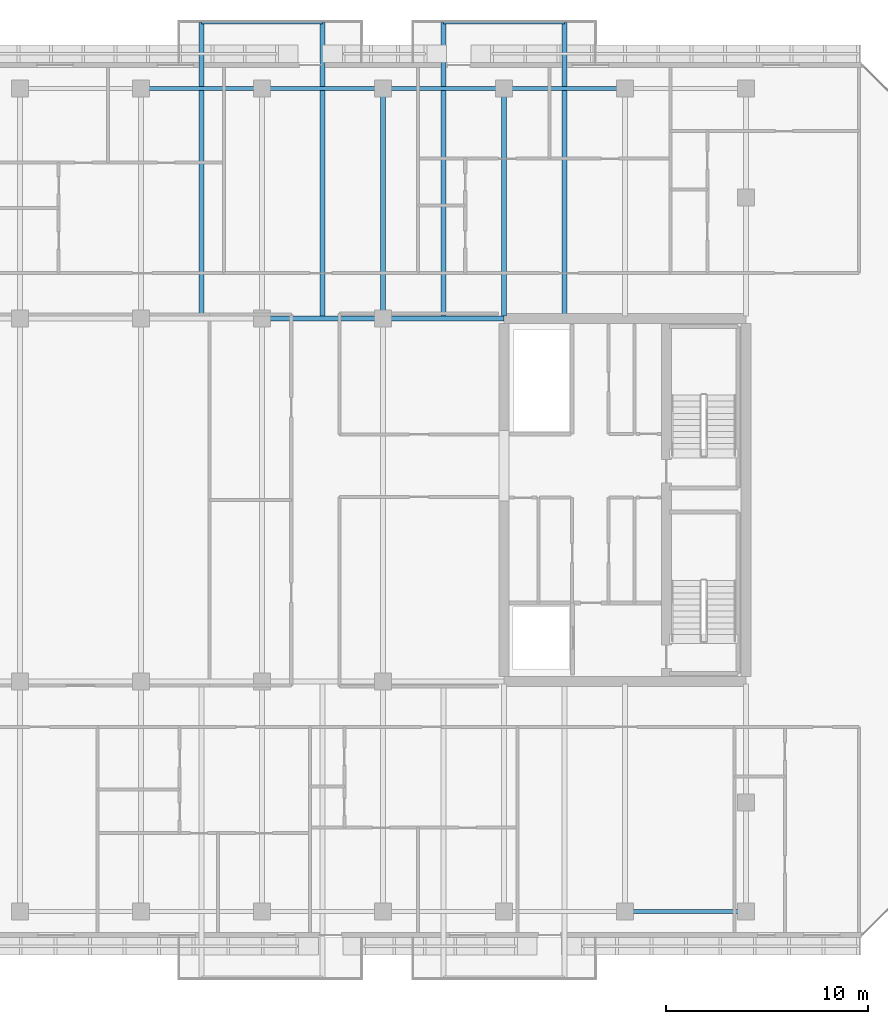
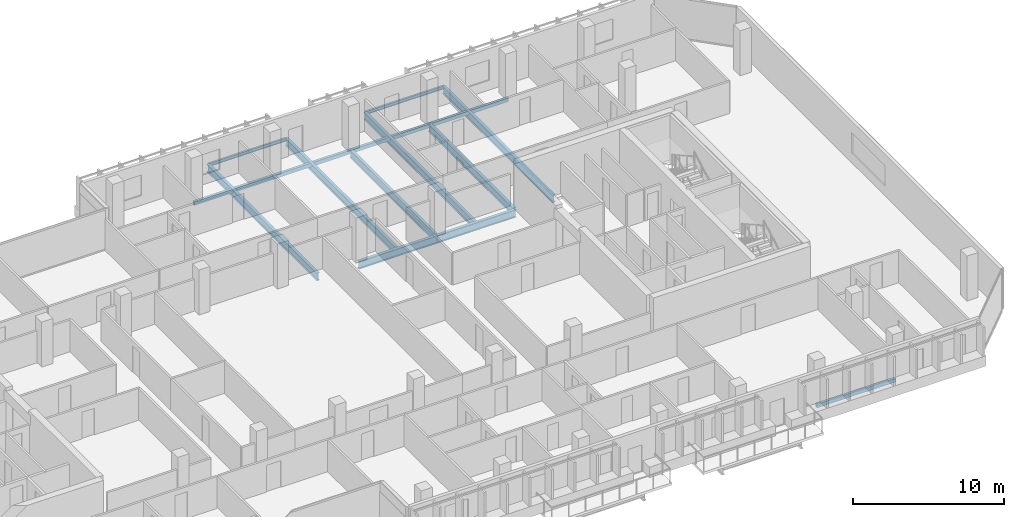
# One storey, part 12 of 31: 15 beams.
"""IFC4 building model written with IfcOpenShell, lengths in metres."""

from ifc_helpers import new_model, si_unit, direction, frame, origin, origin_2d, place, context, subcontext, project, spatial, hollow_rectangle, i_section, extrude, material, material_profile, profile_set, type_object, element, save


model = new_model("IFC4")

# Units and contexts
model_context = context("Model", 3, precision=1e-05, world=origin(), true_north=direction((0.0, 1.0)))
body_context = subcontext(model_context, "Body", "Model", "MODEL_VIEW")
ifc_project = project(units=[si_unit("LENGTHUNIT", "METRE"), si_unit("AREAUNIT", "SQUARE_METRE"), si_unit("VOLUMEUNIT", "CUBIC_METRE"), si_unit("PLANEANGLEUNIT", "RADIAN"), si_unit("MASSUNIT", "GRAM", prefix="KILO")], contexts=[model_context])

# Site, building, storey
site_placement = place(None, origin())
site = spatial("IfcSite", under=ifc_project, at=site_placement, CompositionType="ELEMENT")
building_placement = place(site_placement, origin())
building = spatial("IfcBuilding", under=site, at=building_placement, Name="Tanjung Sevakor Pilgrim Tower", CompositionType="ELEMENT")
storey_placement = place(building_placement, frame((0.0, 0.0, 169.2900390625)))
storey = spatial("IfcBuildingStorey", under=building, at=storey_placement, Name="L47", CompositionType="ELEMENT", Elevation=169.2900390625)

# Beams
ifc_material_1 = material(Name="Steel S355J2", Category="steel")
ifc_material_profile_1 = material_profile(ifc_material_1, i_section(OverallWidth=0.230224609375, OverallDepth=0.6171875, WebThickness=0.01318359375, FlangeThickness=0.022216796875, FilletRadius=0.0126953125, at=origin_2d()))
ifc_profile_set_1 = profile_set([ifc_material_profile_1], Name="Steel S355J2")
beam_type_1 = type_object("IfcBeamType", Name="BM-B-G3-UB_610x229x140", PredefinedType="BEAM", material=ifc_profile_set_1)
for number, where, z_axis, x_axis, name in (
    (1, (66.0, 42.60009765625, -0.528564453125), (1.0, 0.0, 0.0), (0.0, 1.0, 0.0), "L47 Primary Floor Girder MAIN Y426-06"),
    (2, (72.0, 42.60009765625, -0.528564453125), (1.0, 0.0, 0.0), (0.0, 1.0, 0.0), "L47 Primary Floor Girder MAIN Y426-07"),
):
    element("IfcBeam", number, at=place(storey_placement, frame(where, z_axis=z_axis, x_axis=x_axis)), inside=storey, type_object=beam_type_1, Name=name, PredefinedType="BEAM", context=body_context, shape_type="SweptSolid", body=[
        extrude(i_section(OverallWidth=0.230224609375, OverallDepth=0.6171875, WebThickness=0.01318359375, FlangeThickness=0.022216796875, FilletRadius=0.0126953125, at=origin_2d()), origin(), (0.0, 0.0, 1.0), 6.0),
    ])
ifc_material_2 = material(Name="Steel S355J2", Category="steel")
ifc_material_profile_2 = material_profile(ifc_material_2, i_section(OverallWidth=0.22900390625, OverallDepth=0.6123046875, WebThickness=0.011962890625, FlangeThickness=0.01953125, FilletRadius=0.0126953125, at=origin_2d()))
ifc_profile_set_2 = profile_set([ifc_material_profile_2], Name="Steel S355J2")
beam_type_2 = type_object("IfcBeamType", Name="BM-B-G4-UB_610x229x125", PredefinedType="BEAM", material=ifc_profile_set_2)
for number, where, z_axis, x_axis, name in (
    (3, (63.0, 42.715087890625, -0.526123046875), (0.0, 1.0, 0.0), (-1.0, 0.0, 0.0), "L47 Balcony Cantilever Beam MAIN-N2-1"),
    (4, (69.0, 42.715087890625, -0.526123046875), (0.0, 1.0, 0.0), (-1.0, 0.0, 0.0), "L47 Balcony Cantilever Beam MAIN-N2-2"),
):
    element("IfcBeam", number, at=place(storey_placement, frame(where, z_axis=z_axis, x_axis=x_axis)), inside=storey, type_object=beam_type_2, Name=name, PredefinedType="BEAM", context=body_context, shape_type="SweptSolid", body=[
        extrude(i_section(OverallWidth=0.22900390625, OverallDepth=0.6123046875, WebThickness=0.011962890625, FlangeThickness=0.01953125, FilletRadius=0.0126953125, at=origin_2d()), origin(), (0.0, 0.0, 1.0), 14.56494140625),
    ])
beam_1_placement = place(storey_placement, frame((72.0, 42.60009765625, -0.526123046875), z_axis=(0.0, 1.0, 0.0), x_axis=(-1.0, 0.0, 0.0)))
element("IfcBeam", 5, at=beam_1_placement, inside=storey, type_object=beam_type_2, Name="L47 MAIN Girder 020", PredefinedType="BEAM", context=body_context, shape_type="SweptSolid", body=[
    extrude(i_section(OverallWidth=0.22900390625, OverallDepth=0.6123046875, WebThickness=0.011962890625, FlangeThickness=0.01953125, FilletRadius=0.0126953125, at=origin_2d()), origin(), (0.0, 0.0, 1.0), 11.39990234375),
])
beam_2_placement = place(storey_placement, frame((75.0, 42.715087890625, -0.526123046875), z_axis=(0.0, 1.0, 0.0), x_axis=(-1.0, 0.0, 0.0)))
element("IfcBeam", 6, at=beam_2_placement, inside=storey, type_object=beam_type_2, Name="L47 Balcony Cantilever Beam MAIN-N3-1", PredefinedType="BEAM", context=body_context, shape_type="SweptSolid", body=[
    extrude(i_section(OverallWidth=0.22900390625, OverallDepth=0.6123046875, WebThickness=0.011962890625, FlangeThickness=0.01953125, FilletRadius=0.0126953125, at=origin_2d()), origin(), (0.0, 0.0, 1.0), 14.56494140625),
])
beam_3_placement = place(storey_placement, frame((78.0, 42.715087890625, -0.526123046875), z_axis=(0.0, 1.0, 0.0), x_axis=(-1.0, 0.0, 0.0)))
element("IfcBeam", 7, at=beam_3_placement, inside=storey, type_object=beam_type_2, Name="L47 MAIN Girder 022", PredefinedType="BEAM", context=body_context, shape_type="SweptSolid", body=[
    extrude(i_section(OverallWidth=0.22900390625, OverallDepth=0.6123046875, WebThickness=0.011962890625, FlangeThickness=0.01953125, FilletRadius=0.0126953125, at=origin_2d()), origin(), (0.0, 0.0, 1.0), 11.284912109375),
])
beam_4_placement = place(storey_placement, frame((81.0, 42.715087890625, -0.526123046875), z_axis=(0.0, 1.0, 0.0), x_axis=(-1.0, 0.0, 0.0)))
element("IfcBeam", 8, at=beam_4_placement, inside=storey, type_object=beam_type_2, Name="L47 Balcony Cantilever Beam MAIN-N3-2", PredefinedType="BEAM", context=body_context, shape_type="SweptSolid", body=[
    extrude(i_section(OverallWidth=0.22900390625, OverallDepth=0.6123046875, WebThickness=0.011962890625, FlangeThickness=0.01953125, FilletRadius=0.0126953125, at=origin_2d()), origin(), (0.0, 0.0, 1.0), 14.56494140625),
])
ifc_material_3 = material(Name="Steel S355J2", Category="steel")
ifc_material_profile_3 = material_profile(ifc_material_3, i_section(OverallWidth=0.146484375, OverallDepth=0.256103515625, WebThickness=0.00634765625, FlangeThickness=0.010986328125, FilletRadius=0.007568359375, at=origin_2d()))
ifc_profile_set_3 = profile_set([ifc_material_profile_3], Name="Steel S355J2")
beam_type_3 = type_object("IfcBeamType", Name="BM-B-J6-UB_254x146x37", PredefinedType="JOIST", material=ifc_profile_set_3)
for number, where, z_axis, x_axis, name in (
    (9, (63.0, 57.280029296875, -0.328125), (1.0, 0.0, 0.0), (0.0, 1.0, 0.0), "L47 Balcony Rim Tie MAIN-N2"),
    (10, (75.0, 57.280029296875, -0.328125), (1.0, 0.0, 0.0), (0.0, 1.0, 0.0), "L47 Balcony Rim Tie MAIN-N3"),
):
    element("IfcBeam", number, at=place(storey_placement, frame(where, z_axis=z_axis, x_axis=x_axis)), inside=storey, type_object=beam_type_3, Name=name, PredefinedType="JOIST", context=body_context, shape_type="SweptSolid", body=[
        extrude(i_section(OverallWidth=0.146484375, OverallDepth=0.256103515625, WebThickness=0.00634765625, FlangeThickness=0.010986328125, FilletRadius=0.007568359375, at=origin_2d()), origin(), (0.0, 0.0, 1.0), 6.0),
    ])
ifc_material_4 = material(Name="Steel S355J2", Category="steel")
ifc_material_profile_4 = material_profile(ifc_material_4, hollow_rectangle(XDim=0.199951171875, YDim=0.300048828125, WallThickness=0.012451171875, at=origin_2d()))
ifc_profile_set_4 = profile_set([ifc_material_profile_4], Name="Steel S355J2")
beam_type_4 = type_object("IfcBeamType", Name="BM-B-SP3-RHS_300x200x12.5", PredefinedType="SPANDREL", material=ifc_profile_set_4)
for number, where, z_axis, x_axis, name in (
    (11, (60.0, 54.0, -0.3701171875), (1.0, 0.0, 0.0), (0.0, 1.0, 0.0), "L47 Spandrel MAIN N-10"),
    (12, (66.0, 54.0, -0.3701171875), (1.0, 0.0, 0.0), (0.0, 1.0, 0.0), "L47 Spandrel MAIN N-12"),
    (13, (72.0, 54.0, -0.3701171875), (1.0, 0.0, 0.0), (0.0, 1.0, 0.0), "L47 Spandrel MAIN N-14"),
    (14, (78.0, 54.0, -0.3701171875), (1.0, 0.0, 0.0), (0.0, 1.0, 0.0), "L47 Spandrel MAIN N-16"),
    (15, (84.0, 13.199951171875, -0.3701171875), (1.0, 0.0, 0.0), (0.0, 1.0, 0.0), "L47 Spandrel MAIN S-17"),
):
    element("IfcBeam", number, at=place(storey_placement, frame(where, z_axis=z_axis, x_axis=x_axis)), inside=storey, type_object=beam_type_4, Name=name, PredefinedType="SPANDREL", context=body_context, shape_type="SweptSolid", body=[
        extrude(hollow_rectangle(XDim=0.199951171875, YDim=0.300048828125, WallThickness=0.012451171875, at=origin_2d()), origin(), (0.0, 0.0, 1.0), 6.0),
    ])

save(model, "model.ifc")
